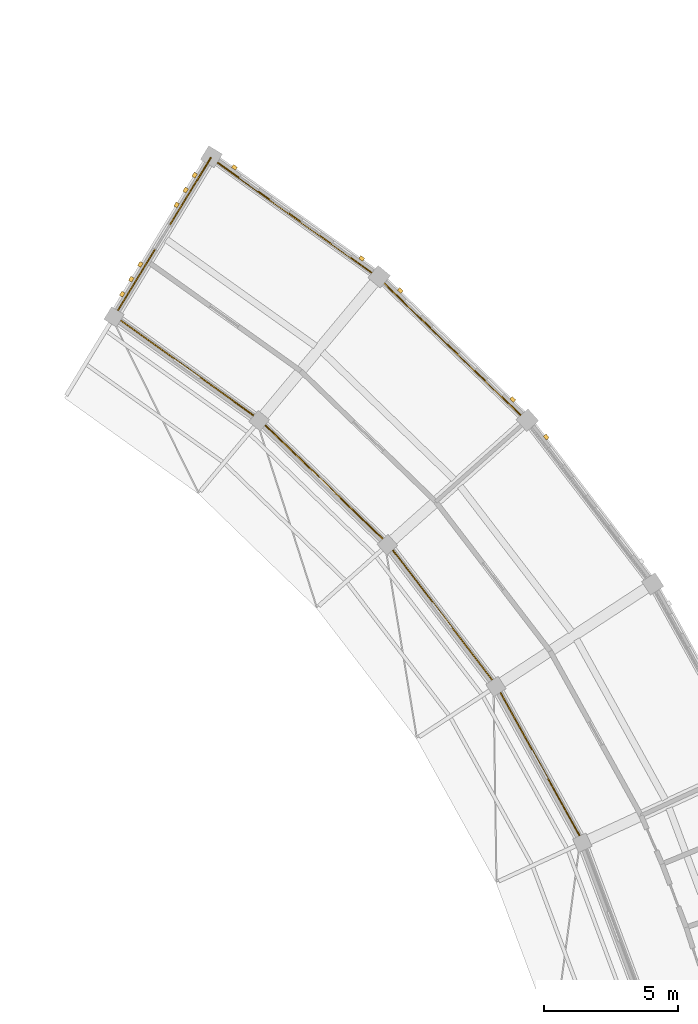
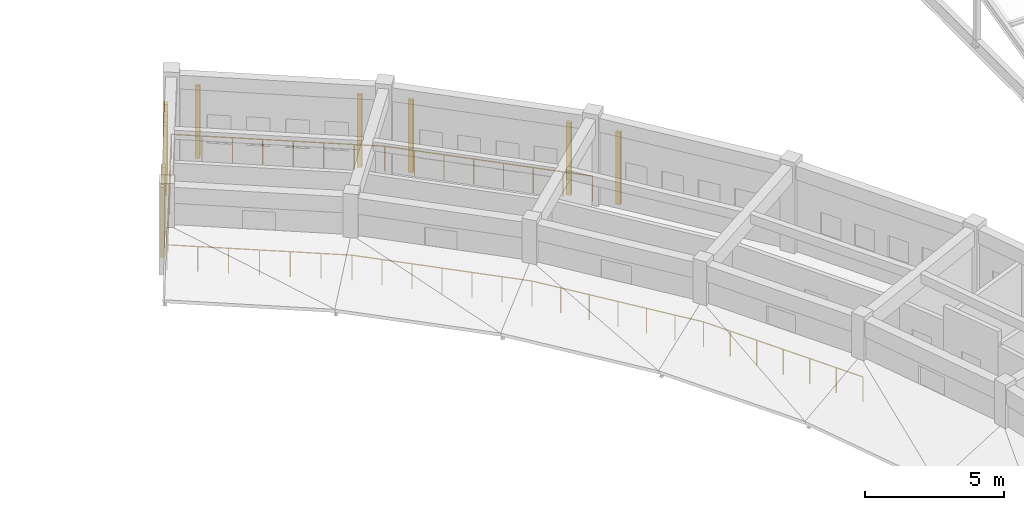
# One storey, part 106 of 112: 11 coverings, 7 railings.
"""IFC4 building model written with IfcOpenShell, lengths in metres."""

from ifc_helpers import new_model, si_unit, direction, frame, origin, origin_2d, place, context, subcontext, project, spatial, rectangle, circle, extrude, material, layer, layer_set, type_object, element, save


model = new_model("IFC4")

# Units and contexts
model_context = context("Model", 3, precision=1e-05, world=origin(), true_north=direction((0.0, 1.0)))
body_context = subcontext(model_context, "Body", "Model", "MODEL_VIEW")
ifc_project = project(units=[si_unit("LENGTHUNIT", "METRE"), si_unit("AREAUNIT", "SQUARE_METRE"), si_unit("VOLUMEUNIT", "CUBIC_METRE"), si_unit("PLANEANGLEUNIT", "RADIAN"), si_unit("MASSUNIT", "GRAM", prefix="KILO")], contexts=[model_context])

# Site, building, storey
site_placement = place(None, origin())
site = spatial("IfcSite", under=ifc_project, at=site_placement, CompositionType="ELEMENT")
building_placement = place(site_placement, origin())
building = spatial("IfcBuilding", under=site, at=building_placement, Name="Celadon Cloister-Ring School", CompositionType="ELEMENT")
storey_placement = place(building_placement, frame((0.0, 0.0, 8.5)))
storey = spatial("IfcBuildingStorey", under=building, at=storey_placement, Name="L02", CompositionType="ELEMENT", Elevation=8.5)

# Coverings
ifc_material_1 = material(Name="Perforated terracotta clay brick masonry", Category="masonry")
ifc_layer = layer(ifc_material_1, 0.139892578125)
ifc_layer_set = layer_set([ifc_layer], Name="Perforated terracotta clay brick masonry")
covering_type = type_object("IfcCoveringType", Name="CV-SC1", PredefinedType="CLADDING", material=ifc_layer_set)
for number, where, z_axis, x_axis, name in (
    (1, (126.535888671875, 92.955078125, 0.0), (0.0, 0.0, 1.0), (0.6079857272, -0.793947955172, 0.0), "Brick Screen Rib 0316"),
    (2, (121.0859375, 98.424072265625, 0.0), (0.0, 0.0, 1.0), (0.718587686634, -0.695436364176, 0.0), "Brick Screen Rib 0318"),
    (3, (125.2890625, 94.35595703125, 0.0), (0.0, 0.0, 1.0), (0.718587686634, -0.695436364176, 0.0), "Brick Screen Rib 0319"),
    (4, (114.887939453125, 103.027099609375, 0.0), (0.0, 0.0, 1.0), (0.813415600856, -0.581682955126, 0.0), "Brick Screen Rib 0320"),
    (5, (119.64599609375, 99.6240234375, 0.0), (0.0, 0.0, 1.0), (0.813415600856, -0.581682955126, 0.0), "Brick Screen Rib 0321"),
):
    element("IfcCovering", number, at=place(storey_placement, frame(where, z_axis=z_axis, x_axis=x_axis)), inside=storey, type_object=covering_type, Name=name, PredefinedType="CLADDING", context=body_context, shape_type="SweptSolid", body=[
        extrude(rectangle(XDim=0.179931640625, YDim=0.139892578125, at=origin_2d()), origin(), (0.0, 0.0, 1.0), 3.172119140625),
    ])
for number, where, z_axis, x_axis, name in (
    (6, (110.701904296875, 98.2919921875, 0.0), (0.0, 0.0, 1.0), (0.51986207177, 0.854250212956, 0.0), "Brick Screen Rib 0328"),
    (7, (111.0400390625, 98.847900390625, 0.0), (0.0, 0.0, 1.0), (0.51986207177, 0.854250212956, 0.0), "Brick Screen Rib 0329"),
    (8, (111.3779296875, 99.403076171875, 0.0), (0.0, 0.0, 1.0), (0.51986207177, 0.854250212956, 0.0), "Brick Screen Rib 0330"),
    (9, (112.72998046875, 101.6240234375, 0.0), (0.0, 0.0, 1.0), (0.51986207177, 0.854250212956, 0.0), "Brick Screen Rib 0331"),
    (10, (113.068115234375, 102.178955078125, 0.0), (0.0, 0.0, 1.0), (0.51986207177, 0.854250212956, 0.0), "Brick Screen Rib 0332"),
    (11, (113.405029296875, 102.735107421875, 0.0), (0.0, 0.0, 1.0), (0.51986207177, 0.854250212956, 0.0), "Brick Screen Rib 0333"),
):
    element("IfcCovering", number, at=place(storey_placement, frame(where, z_axis=z_axis, x_axis=x_axis)), inside=storey, type_object=covering_type, Name=name, PredefinedType="CLADDING", context=body_context, shape_type="SweptSolid", body=[
        extrude(rectangle(XDim=0.179931640625, YDim=0.139892578125, at=origin_2d()), origin(), (0.0, 0.0, 1.0), 3.072021484375),
    ])

# Railings
ifc_material_2 = material(Name="Structural steel S355JR", Category="steel")
railing_type = type_object("IfcRailingType", Name="RL-BL1", PredefinedType="BALUSTRADE", material=ifc_material_2)
railing_1_placement = place(storey_placement, frame((125.802978515625, 93.556884765625, 0.0)))
element("IfcRailing", 12, at=railing_1_placement, inside=storey, type_object=railing_type, Name="Terrace Balustrade 0106", PredefinedType="BALUSTRADE", context=body_context, shape_type="SweptSolid", body=[
    extrude(circle(Radius=0.02392578125, at=origin_2d()), frame((0.0, 0.0, 1.09619140625), z_axis=(-0.718571468131, 0.695453122208, 0.0), x_axis=(-0.695453122208, -0.718571468131, 0.0)), (0.0, 0.0, 1.0), 7.698486328125),
    extrude(circle(Radius=0.02099609375, at=origin_2d()), origin(), (0.0, 0.0, 1.0), 1.072021484375),
    extrude(circle(Radius=0.02099609375, at=origin_2d()), frame((-0.790283203125, 0.764892578125, 0.0)), (0.0, 0.0, 1.0), 1.072021484375),
    extrude(circle(Radius=0.02099609375, at=origin_2d()), frame((-1.58056640625, 1.52978515625, 0.0)), (0.0, 0.0, 1.0), 1.072021484375),
    extrude(circle(Radius=0.02099609375, at=origin_2d()), frame((-2.370849609375, 2.294677734375, 0.0)), (0.0, 0.0, 1.0), 1.072021484375),
    extrude(circle(Radius=0.02099609375, at=origin_2d()), frame((-3.1611328125, 3.059326171875, 0.0)), (0.0, 0.0, 1.0), 1.072021484375),
    extrude(circle(Radius=0.02099609375, at=origin_2d()), frame((-3.951416015625, 3.82421875, 0.0)), (0.0, 0.0, 1.0), 1.072021484375),
    extrude(circle(Radius=0.02099609375, at=origin_2d()), frame((-4.74169921875, 4.589111328125, 0.0)), (0.0, 0.0, 1.0), 1.072021484375),
    extrude(circle(Radius=0.02099609375, at=origin_2d()), frame((-5.531982421875, 5.35400390625, 0.0)), (0.0, 0.0, 1.0), 1.072021484375),
])
railing_2_placement = place(storey_placement, frame((120.27099609375, 98.910888671875, 0.0)))
element("IfcRailing", 13, at=railing_2_placement, inside=storey, type_object=railing_type, Name="Terrace Balustrade 0107", PredefinedType="BALUSTRADE", context=body_context, shape_type="SweptSolid", body=[
    extrude(circle(Radius=0.02392578125, at=origin_2d()), frame((0.0, 0.0, 1.09619140625), z_axis=(-0.81343117442, 0.581661176702, 0.0), x_axis=(-0.581661176702, -0.81343117442, 0.0)), (0.0, 0.0, 1.0), 7.697021484375),
    extrude(circle(Radius=0.02099609375, at=origin_2d()), origin(), (0.0, 0.0, 1.0), 1.072021484375),
    extrude(circle(Radius=0.02099609375, at=origin_2d()), frame((-0.89453125, 0.6396484375, 0.0)), (0.0, 0.0, 1.0), 1.072021484375),
    extrude(circle(Radius=0.02099609375, at=origin_2d()), frame((-1.788818359375, 1.279052734375, 0.0)), (0.0, 0.0, 1.0), 1.072021484375),
    extrude(circle(Radius=0.02099609375, at=origin_2d()), frame((-2.683349609375, 1.918701171875, 0.0)), (0.0, 0.0, 1.0), 1.072021484375),
    extrude(circle(Radius=0.02099609375, at=origin_2d()), frame((-3.57763671875, 2.558349609375, 0.0)), (0.0, 0.0, 1.0), 1.072021484375),
    extrude(circle(Radius=0.02099609375, at=origin_2d()), frame((-4.47216796875, 3.197998046875, 0.0)), (0.0, 0.0, 1.0), 1.072021484375),
    extrude(circle(Radius=0.02099609375, at=origin_2d()), frame((-5.366455078125, 3.83740234375, 0.0)), (0.0, 0.0, 1.0), 1.072021484375),
    extrude(circle(Radius=0.02099609375, at=origin_2d()), frame((-6.260986328125, 4.47705078125, 0.0)), (0.0, 0.0, 1.0), 1.072021484375),
])
railing_3_placement = place(storey_placement, frame((127.9208984375, 77.818115234375, 0.0)))
element("IfcRailing", 14, at=railing_3_placement, inside=storey, type_object=railing_type, Name="Terrace Balustrade 0139", PredefinedType="BALUSTRADE", context=body_context, shape_type="SweptSolid", body=[
    extrude(circle(Radius=0.02392578125, at=origin_2d()), frame((0.0, 0.0, 1.09619140625), z_axis=(-0.484057808808, 0.87503602082, 0.0), x_axis=(-0.87503602082, -0.484057808808, 0.0)), (0.0, 0.0, 1.0), 6.672607421875),
    extrude(circle(Radius=0.02099609375, at=origin_2d()), origin(), (0.0, 0.0, 1.0), 1.072021484375),
    extrude(circle(Radius=0.02099609375, at=origin_2d()), frame((-0.538330078125, 0.97314453125, 0.0)), (0.0, 0.0, 1.0), 1.072021484375),
    extrude(circle(Radius=0.02099609375, at=origin_2d()), frame((-1.07666015625, 1.9462890625, 0.0)), (0.0, 0.0, 1.0), 1.072021484375),
    extrude(circle(Radius=0.02099609375, at=origin_2d()), frame((-1.614990234375, 2.91943359375, 0.0)), (0.0, 0.0, 1.0), 1.072021484375),
    extrude(circle(Radius=0.02099609375, at=origin_2d()), frame((-2.1533203125, 3.892578125, 0.0)), (0.0, 0.0, 1.0), 1.072021484375),
    extrude(circle(Radius=0.02099609375, at=origin_2d()), frame((-2.691650390625, 4.86572265625, 0.0)), (0.0, 0.0, 1.0), 1.072021484375),
    extrude(circle(Radius=0.02099609375, at=origin_2d()), frame((-3.22998046875, 5.8388671875, 0.0)), (0.0, 0.0, 1.0), 1.072021484375),
])
railing_4_placement = place(storey_placement, frame((124.69091796875, 83.656982421875, 0.0)))
element("IfcRailing", 15, at=railing_4_placement, inside=storey, type_object=railing_type, Name="Terrace Balustrade 0140", PredefinedType="BALUSTRADE", context=body_context, shape_type="SweptSolid", body=[
    extrude(circle(Radius=0.02392578125, at=origin_2d()), frame((0.0, 0.0, 1.09619140625), z_axis=(-0.607868330809, 0.79403784066, 0.0), x_axis=(-0.79403784066, -0.607868330809, 0.0)), (0.0, 0.0, 1.0), 6.67236328125),
    extrude(circle(Radius=0.02099609375, at=origin_2d()), origin(), (0.0, 0.0, 1.0), 1.072021484375),
    extrude(circle(Radius=0.02099609375, at=origin_2d()), frame((-0.676025390625, 0.883056640625, 0.0)), (0.0, 0.0, 1.0), 1.072021484375),
    extrude(circle(Radius=0.02099609375, at=origin_2d()), frame((-1.35205078125, 1.76611328125, 0.0)), (0.0, 0.0, 1.0), 1.072021484375),
    extrude(circle(Radius=0.02099609375, at=origin_2d()), frame((-2.02783203125, 2.64892578125, 0.0)), (0.0, 0.0, 1.0), 1.072021484375),
    extrude(circle(Radius=0.02099609375, at=origin_2d()), frame((-2.703857421875, 3.531982421875, 0.0)), (0.0, 0.0, 1.0), 1.072021484375),
    extrude(circle(Radius=0.02099609375, at=origin_2d()), frame((-3.3798828125, 4.4150390625, 0.0)), (0.0, 0.0, 1.0), 1.072021484375),
    extrude(circle(Radius=0.02099609375, at=origin_2d()), frame((-4.055908203125, 5.298095703125, 0.0)), (0.0, 0.0, 1.0), 1.072021484375),
])
railing_5_placement = place(storey_placement, frame((120.635009765625, 88.955078125, 0.0)))
element("IfcRailing", 16, at=railing_5_placement, inside=storey, type_object=railing_type, Name="Terrace Balustrade 0141", PredefinedType="BALUSTRADE", context=body_context, shape_type="SweptSolid", body=[
    extrude(circle(Radius=0.02392578125, at=origin_2d()), frame((0.0, 0.0, 1.09619140625), z_axis=(-0.718628684271, 0.695393999214, 0.0), x_axis=(-0.695393999214, -0.718628684271, 0.0)), (0.0, 0.0, 1.0), 6.67236328125),
    extrude(circle(Radius=0.02099609375, at=origin_2d()), origin(), (0.0, 0.0, 1.0), 1.072021484375),
    extrude(circle(Radius=0.02099609375, at=origin_2d()), frame((-0.799072265625, 0.7734375, 0.0)), (0.0, 0.0, 1.0), 1.072021484375),
    extrude(circle(Radius=0.02099609375, at=origin_2d()), frame((-1.598388671875, 1.546630859375, 0.0)), (0.0, 0.0, 1.0), 1.072021484375),
    extrude(circle(Radius=0.02099609375, at=origin_2d()), frame((-2.3974609375, 2.31982421875, 0.0)), (0.0, 0.0, 1.0), 1.072021484375),
    extrude(circle(Radius=0.02099609375, at=origin_2d()), frame((-3.196533203125, 3.09326171875, 0.0)), (0.0, 0.0, 1.0), 1.072021484375),
    extrude(circle(Radius=0.02099609375, at=origin_2d()), frame((-3.995849609375, 3.86669921875, 0.0)), (0.0, 0.0, 1.0), 1.072021484375),
    extrude(circle(Radius=0.02099609375, at=origin_2d()), frame((-4.794921875, 4.639892578125, 0.0)), (0.0, 0.0, 1.0), 1.072021484375),
])
railing_6_placement = place(storey_placement, frame((115.840087890625, 93.594970703125, 0.0)))
element("IfcRailing", 17, at=railing_6_placement, inside=storey, type_object=railing_type, Name="Terrace Balustrade 0142", PredefinedType="BALUSTRADE", context=body_context, shape_type="SweptSolid", body=[
    extrude(circle(Radius=0.02392578125, at=origin_2d()), frame((0.0, 0.0, 1.09619140625), z_axis=(-0.813332778837, 0.581798754613, 0.0), x_axis=(-0.581798754613, -0.813332778837, 0.0)), (0.0, 0.0, 1.0), 6.672607421875),
    extrude(circle(Radius=0.02099609375, at=origin_2d()), origin(), (0.0, 0.0, 1.0), 1.072021484375),
    extrude(circle(Radius=0.02099609375, at=origin_2d()), frame((-0.904541015625, 0.64697265625, 0.0)), (0.0, 0.0, 1.0), 1.072021484375),
    extrude(circle(Radius=0.02099609375, at=origin_2d()), frame((-1.80908203125, 1.2939453125, 0.0)), (0.0, 0.0, 1.0), 1.072021484375),
    extrude(circle(Radius=0.02099609375, at=origin_2d()), frame((-2.71337890625, 1.94091796875, 0.0)), (0.0, 0.0, 1.0), 1.072021484375),
    extrude(circle(Radius=0.02099609375, at=origin_2d()), frame((-3.617919921875, 2.588134765625, 0.0)), (0.0, 0.0, 1.0), 1.072021484375),
    extrude(circle(Radius=0.02099609375, at=origin_2d()), frame((-4.5224609375, 3.235107421875, 0.0)), (0.0, 0.0, 1.0), 1.072021484375),
    extrude(circle(Radius=0.02099609375, at=origin_2d()), frame((-5.427001953125, 3.882080078125, 0.0)), (0.0, 0.0, 1.0), 1.072021484375),
])
railing_7_placement = place(storey_placement, frame((110.4130859375, 97.47705078125, 0.0)))
element("IfcRailing", 18, at=railing_7_placement, inside=storey, type_object=railing_type, Name="Terrace Balustrade 0144", PredefinedType="BALUSTRADE", context=body_context, shape_type="SweptSolid", body=[
    extrude(circle(Radius=0.02392578125, at=origin_2d()), frame((0.0, 0.0, 1.09619140625), z_axis=(0.519840603898, 0.854263277063, 0.0), x_axis=(-0.854263277063, 0.519840603898, 0.0)), (0.0, 0.0, 1.0), 6.919189453125),
    extrude(circle(Radius=0.02099609375, at=origin_2d()), origin(), (0.0, 0.0, 1.0), 1.072021484375),
    extrude(circle(Radius=0.02099609375, at=origin_2d()), frame((0.599609375, 0.985107421875, 0.0)), (0.0, 0.0, 1.0), 1.072021484375),
    extrude(circle(Radius=0.02099609375, at=origin_2d()), frame((1.198974609375, 1.97021484375, 0.0)), (0.0, 0.0, 1.0), 1.072021484375),
    extrude(circle(Radius=0.02099609375, at=origin_2d()), frame((1.79833984375, 2.95556640625, 0.0)), (0.0, 0.0, 1.0), 1.072021484375),
    extrude(circle(Radius=0.02099609375, at=origin_2d()), frame((2.39794921875, 3.940673828125, 0.0)), (0.0, 0.0, 1.0), 1.072021484375),
    extrude(circle(Radius=0.02099609375, at=origin_2d()), frame((2.99755859375, 4.92578125, 0.0)), (0.0, 0.0, 1.0), 1.072021484375),
    extrude(circle(Radius=0.02099609375, at=origin_2d()), frame((3.596923828125, 5.910888671875, 0.0)), (0.0, 0.0, 1.0), 1.072021484375),
])

save(model, "model.ifc")
